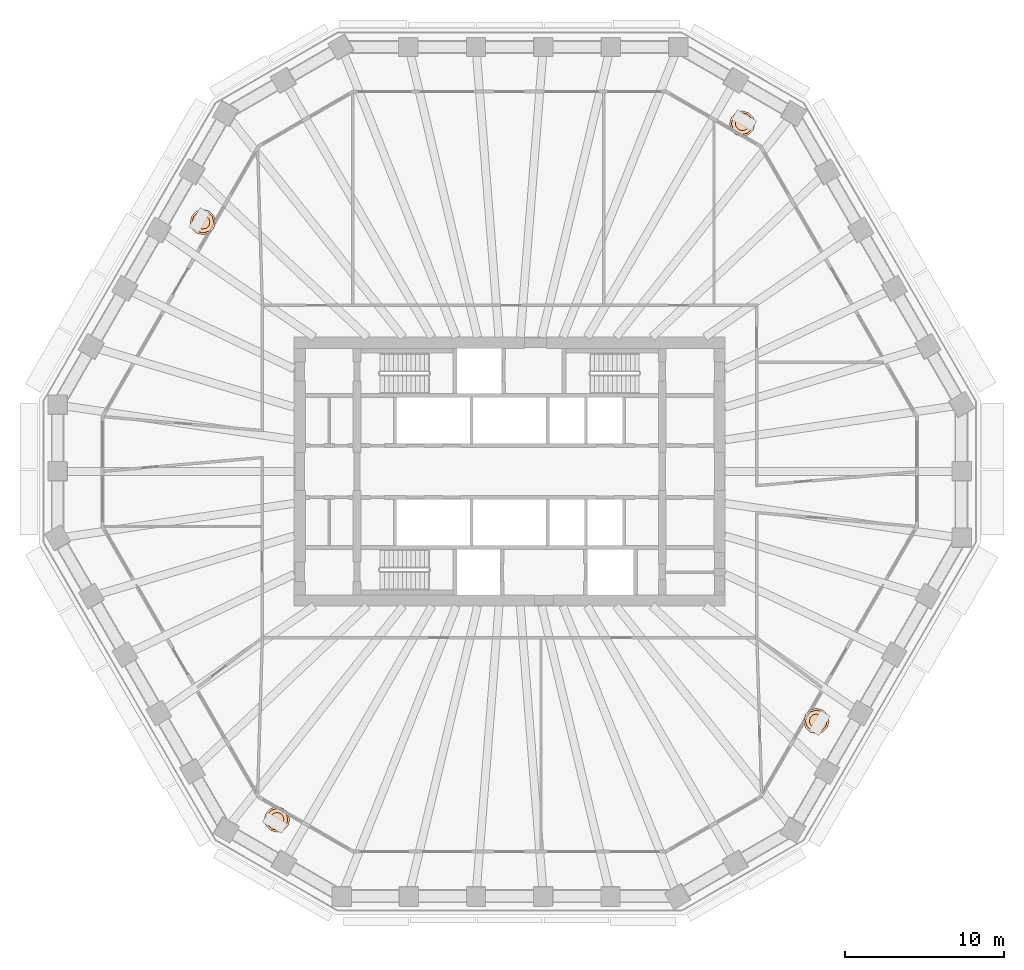
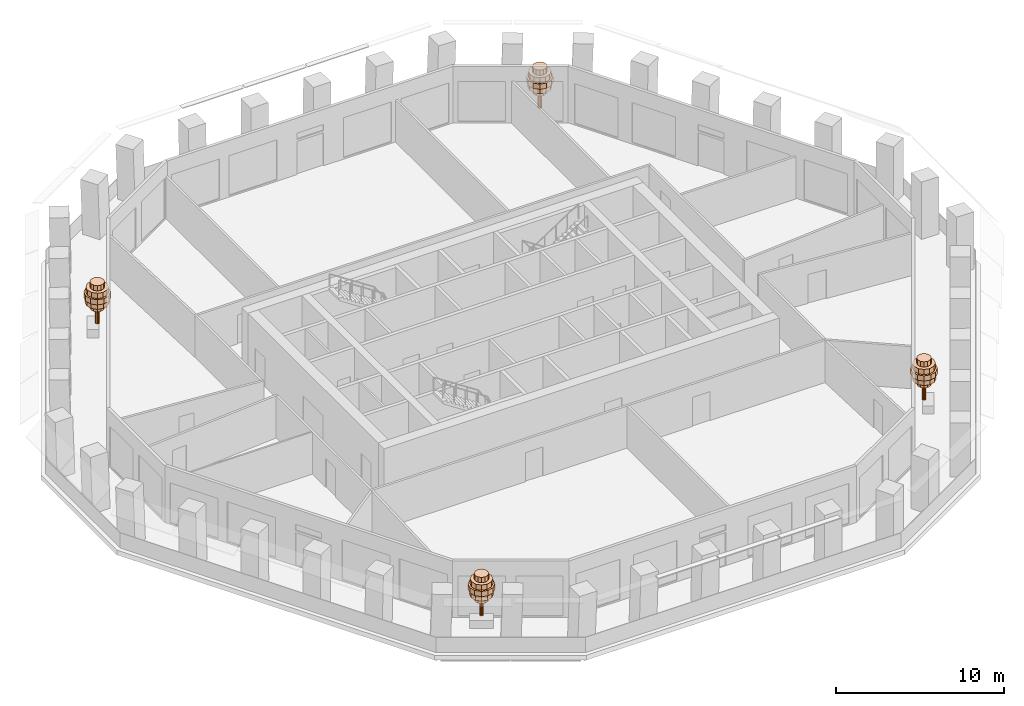
# One storey, part 12 of 12: 4 geographic elements.
"""IFC4 building model written with IfcOpenShell, lengths in metres."""

from ifc_helpers import new_model, si_unit, direction, frame, origin, place, context, subcontext, project, spatial, polyline, outline, extrude, material, type_object, element, save


model = new_model("IFC4")

# Units and contexts
model_context = context("Model", 3, precision=1e-05, world=origin(), true_north=direction((0.0, 1.0)))
body_context = subcontext(model_context, "Body", "Model", "MODEL_VIEW")
ifc_project = project(units=[si_unit("LENGTHUNIT", "METRE"), si_unit("AREAUNIT", "SQUARE_METRE"), si_unit("VOLUMEUNIT", "CUBIC_METRE"), si_unit("PLANEANGLEUNIT", "RADIAN"), si_unit("MASSUNIT", "GRAM", prefix="KILO")], contexts=[model_context])

# Site, building, storey
site_placement = place(None, origin())
site = spatial("IfcSite", under=ifc_project, at=site_placement, CompositionType="ELEMENT")
building_placement = place(site_placement, origin())
building = spatial("IfcBuilding", under=site, at=building_placement, Name="Frailejon Research Tower", CompositionType="ELEMENT")
storey_placement = place(building_placement, frame((0.0, 0.0, 145.199951171875)))
storey = spatial("IfcBuildingStorey", under=building, at=storey_placement, Name="L31", CompositionType="ELEMENT", Elevation=145.199951171875)

# Geographic elements
ifc_material = material(Name="Foliage, green")
geographic_element_type = type_object("IfcGeographicElementType", Name="Frailejon tree, loggia", PredefinedType="USERDEFINED", material=ifc_material)
geographic_element_1_placement = place(storey_placement, frame((14.63134765625, 21.878173828125, 0.60009765625)))
element("IfcGeographicElement", 1, at=geographic_element_1_placement, inside=storey, type_object=geographic_element_type, Name="Tree L31", ObjectType="TREE", PredefinedType="USERDEFINED", context=body_context, shape_type="SweptSolid", body=[
    extrude(outline(polyline([(0.1298828125, 0.0), (0.112548828125, 0.06494140625), (0.06494140625, 0.112548828125), (0.0, 0.1298828125), (-0.06494140625, 0.112548828125), (-0.112548828125, 0.06494140625), (-0.1298828125, 0.0), (-0.112548828125, -0.06494140625), (-0.06494140625, -0.112548828125), (0.0, -0.1298828125), (0.06494140625, -0.112548828125), (0.112548828125, -0.06494140625), (0.1298828125, 0.0)])), origin(), (0.0, 0.0, 1.0), 2.239990234375),
    extrude(outline(polyline([(0.43994140625, 0.0), (0.381103515625, 0.219970703125), (0.219970703125, 0.381103515625), (0.0, 0.43994140625), (-0.219970703125, 0.381103515625), (-0.381103515625, 0.219970703125), (-0.43994140625, 0.0), (-0.381103515625, -0.219970703125), (-0.219970703125, -0.381103515625), (0.0, -0.43994140625), (0.219970703125, -0.381103515625), (0.381103515625, -0.219970703125), (0.43994140625, 0.0)])), frame((0.0, 0.0, 1.10009765625)), (0.0, 0.0, 1.0), 0.3798828125),
    extrude(outline(polyline([(0.719970703125, 0.0), (0.62353515625, 0.360107421875), (0.360107421875, 0.62353515625), (0.0, 0.719970703125), (-0.360107421875, 0.62353515625), (-0.62353515625, 0.360107421875), (-0.719970703125, 0.0), (-0.62353515625, -0.360107421875), (-0.360107421875, -0.62353515625), (0.0, -0.719970703125), (0.360107421875, -0.62353515625), (0.62353515625, -0.360107421875), (0.719970703125, 0.0)])), frame((0.0, 0.0, 1.47998046875)), (0.0, 0.0, 1.0), 0.3798828125),
    extrude(outline(polyline([(0.800048828125, 0.0), (0.69287109375, 0.39990234375), (0.39990234375, 0.69287109375), (0.0, 0.800048828125), (-0.39990234375, 0.69287109375), (-0.69287109375, 0.39990234375), (-0.800048828125, 0.0), (-0.69287109375, -0.39990234375), (-0.39990234375, -0.69287109375), (0.0, -0.800048828125), (0.39990234375, -0.69287109375), (0.69287109375, -0.39990234375), (0.800048828125, 0.0)])), frame((0.0, 0.0, 1.860107421875)), (0.0, 0.0, 1.0), 0.3798828125),
    extrude(outline(polyline([(0.679931640625, 0.0), (0.5888671875, 0.340087890625), (0.340087890625, 0.5888671875), (0.0, 0.679931640625), (-0.340087890625, 0.5888671875), (-0.5888671875, 0.340087890625), (-0.679931640625, 0.0), (-0.5888671875, -0.340087890625), (-0.340087890625, -0.5888671875), (0.0, -0.679931640625), (0.340087890625, -0.5888671875), (0.5888671875, -0.340087890625), (0.679931640625, 0.0)])), frame((0.0, 0.0, 2.239990234375)), (0.0, 0.0, 1.0), 0.3798828125),
    extrude(outline(polyline([(0.43994140625, 0.0), (0.381103515625, 0.219970703125), (0.219970703125, 0.381103515625), (0.0, 0.43994140625), (-0.219970703125, 0.381103515625), (-0.381103515625, 0.219970703125), (-0.43994140625, 0.0), (-0.381103515625, -0.219970703125), (-0.219970703125, -0.381103515625), (0.0, -0.43994140625), (0.219970703125, -0.381103515625), (0.381103515625, -0.219970703125), (0.43994140625, 0.0)])), frame((0.0, 0.0, 2.6201171875)), (0.0, 0.0, 1.0), 0.3798828125),
])
geographic_element_2_placement = place(storey_placement, frame((-19.28955078125, 15.689453125, 0.60009765625)))
element("IfcGeographicElement", 2, at=geographic_element_2_placement, inside=storey, type_object=geographic_element_type, Name="Tree L31", ObjectType="TREE", PredefinedType="USERDEFINED", context=body_context, shape_type="SweptSolid", body=[
    extrude(outline(polyline([(0.1298828125, 0.0), (0.112548828125, 0.06494140625), (0.06494140625, 0.112548828125), (0.0, 0.1298828125), (-0.06494140625, 0.112548828125), (-0.112548828125, 0.06494140625), (-0.1298828125, 0.0), (-0.112548828125, -0.06494140625), (-0.06494140625, -0.112548828125), (0.0, -0.1298828125), (0.06494140625, -0.112548828125), (0.112548828125, -0.06494140625), (0.1298828125, 0.0)])), origin(), (0.0, 0.0, 1.0), 2.239990234375),
    extrude(outline(polyline([(0.43994140625, 0.0), (0.381103515625, 0.219970703125), (0.219970703125, 0.381103515625), (0.0, 0.43994140625), (-0.219970703125, 0.381103515625), (-0.381103515625, 0.219970703125), (-0.43994140625, 0.0), (-0.381103515625, -0.219970703125), (-0.219970703125, -0.381103515625), (0.0, -0.43994140625), (0.219970703125, -0.381103515625), (0.381103515625, -0.219970703125), (0.43994140625, 0.0)])), frame((0.0, 0.0, 1.10009765625)), (0.0, 0.0, 1.0), 0.3798828125),
    extrude(outline(polyline([(0.719970703125, 0.0), (0.62353515625, 0.360107421875), (0.360107421875, 0.62353515625), (0.0, 0.719970703125), (-0.360107421875, 0.62353515625), (-0.62353515625, 0.360107421875), (-0.719970703125, 0.0), (-0.62353515625, -0.360107421875), (-0.360107421875, -0.62353515625), (0.0, -0.719970703125), (0.360107421875, -0.62353515625), (0.62353515625, -0.360107421875), (0.719970703125, 0.0)])), frame((0.0, 0.0, 1.47998046875)), (0.0, 0.0, 1.0), 0.3798828125),
    extrude(outline(polyline([(0.800048828125, 0.0), (0.69287109375, 0.39990234375), (0.39990234375, 0.69287109375), (0.0, 0.800048828125), (-0.39990234375, 0.69287109375), (-0.69287109375, 0.39990234375), (-0.800048828125, 0.0), (-0.69287109375, -0.39990234375), (-0.39990234375, -0.69287109375), (0.0, -0.800048828125), (0.39990234375, -0.69287109375), (0.69287109375, -0.39990234375), (0.800048828125, 0.0)])), frame((0.0, 0.0, 1.860107421875)), (0.0, 0.0, 1.0), 0.3798828125),
    extrude(outline(polyline([(0.679931640625, 0.0), (0.5888671875, 0.340087890625), (0.340087890625, 0.5888671875), (0.0, 0.679931640625), (-0.340087890625, 0.5888671875), (-0.5888671875, 0.340087890625), (-0.679931640625, 0.0), (-0.5888671875, -0.340087890625), (-0.340087890625, -0.5888671875), (0.0, -0.679931640625), (0.340087890625, -0.5888671875), (0.5888671875, -0.340087890625), (0.679931640625, 0.0)])), frame((0.0, 0.0, 2.239990234375)), (0.0, 0.0, 1.0), 0.3798828125),
    extrude(outline(polyline([(0.43994140625, 0.0), (0.381103515625, 0.219970703125), (0.219970703125, 0.381103515625), (0.0, 0.43994140625), (-0.219970703125, 0.381103515625), (-0.381103515625, 0.219970703125), (-0.43994140625, 0.0), (-0.381103515625, -0.219970703125), (-0.219970703125, -0.381103515625), (0.0, -0.43994140625), (0.219970703125, -0.381103515625), (0.381103515625, -0.219970703125), (0.43994140625, 0.0)])), frame((0.0, 0.0, 2.6201171875)), (0.0, 0.0, 1.0), 0.3798828125),
])
geographic_element_3_placement = place(storey_placement, frame((-14.63134765625, -21.878173828125, 0.60009765625)))
element("IfcGeographicElement", 3, at=geographic_element_3_placement, inside=storey, type_object=geographic_element_type, Name="Tree L31", ObjectType="TREE", PredefinedType="USERDEFINED", context=body_context, shape_type="SweptSolid", body=[
    extrude(outline(polyline([(0.1298828125, 0.0), (0.112548828125, 0.06494140625), (0.06494140625, 0.112548828125), (0.0, 0.1298828125), (-0.06494140625, 0.112548828125), (-0.112548828125, 0.06494140625), (-0.1298828125, 0.0), (-0.112548828125, -0.06494140625), (-0.06494140625, -0.112548828125), (0.0, -0.1298828125), (0.06494140625, -0.112548828125), (0.112548828125, -0.06494140625), (0.1298828125, 0.0)])), origin(), (0.0, 0.0, 1.0), 2.239990234375),
    extrude(outline(polyline([(0.43994140625, 0.0), (0.381103515625, 0.219970703125), (0.219970703125, 0.381103515625), (0.0, 0.43994140625), (-0.219970703125, 0.381103515625), (-0.381103515625, 0.219970703125), (-0.43994140625, 0.0), (-0.381103515625, -0.219970703125), (-0.219970703125, -0.381103515625), (0.0, -0.43994140625), (0.219970703125, -0.381103515625), (0.381103515625, -0.219970703125), (0.43994140625, 0.0)])), frame((0.0, 0.0, 1.10009765625)), (0.0, 0.0, 1.0), 0.3798828125),
    extrude(outline(polyline([(0.719970703125, 0.0), (0.62353515625, 0.360107421875), (0.360107421875, 0.62353515625), (0.0, 0.719970703125), (-0.360107421875, 0.62353515625), (-0.62353515625, 0.360107421875), (-0.719970703125, 0.0), (-0.62353515625, -0.360107421875), (-0.360107421875, -0.62353515625), (0.0, -0.719970703125), (0.360107421875, -0.62353515625), (0.62353515625, -0.360107421875), (0.719970703125, 0.0)])), frame((0.0, 0.0, 1.47998046875)), (0.0, 0.0, 1.0), 0.3798828125),
    extrude(outline(polyline([(0.800048828125, 0.0), (0.69287109375, 0.39990234375), (0.39990234375, 0.69287109375), (0.0, 0.800048828125), (-0.39990234375, 0.69287109375), (-0.69287109375, 0.39990234375), (-0.800048828125, 0.0), (-0.69287109375, -0.39990234375), (-0.39990234375, -0.69287109375), (0.0, -0.800048828125), (0.39990234375, -0.69287109375), (0.69287109375, -0.39990234375), (0.800048828125, 0.0)])), frame((0.0, 0.0, 1.860107421875)), (0.0, 0.0, 1.0), 0.3798828125),
    extrude(outline(polyline([(0.679931640625, 0.0), (0.5888671875, 0.340087890625), (0.340087890625, 0.5888671875), (0.0, 0.679931640625), (-0.340087890625, 0.5888671875), (-0.5888671875, 0.340087890625), (-0.679931640625, 0.0), (-0.5888671875, -0.340087890625), (-0.340087890625, -0.5888671875), (0.0, -0.679931640625), (0.340087890625, -0.5888671875), (0.5888671875, -0.340087890625), (0.679931640625, 0.0)])), frame((0.0, 0.0, 2.239990234375)), (0.0, 0.0, 1.0), 0.3798828125),
    extrude(outline(polyline([(0.43994140625, 0.0), (0.381103515625, 0.219970703125), (0.219970703125, 0.381103515625), (0.0, 0.43994140625), (-0.219970703125, 0.381103515625), (-0.381103515625, 0.219970703125), (-0.43994140625, 0.0), (-0.381103515625, -0.219970703125), (-0.219970703125, -0.381103515625), (0.0, -0.43994140625), (0.219970703125, -0.381103515625), (0.381103515625, -0.219970703125), (0.43994140625, 0.0)])), frame((0.0, 0.0, 2.6201171875)), (0.0, 0.0, 1.0), 0.3798828125),
])
geographic_element_4_placement = place(storey_placement, frame((19.28955078125, -15.689453125, 0.60009765625)))
element("IfcGeographicElement", 4, at=geographic_element_4_placement, inside=storey, type_object=geographic_element_type, Name="Tree L31", ObjectType="TREE", PredefinedType="USERDEFINED", context=body_context, shape_type="SweptSolid", body=[
    extrude(outline(polyline([(0.1298828125, 0.0), (0.112548828125, 0.06494140625), (0.06494140625, 0.112548828125), (0.0, 0.1298828125), (-0.06494140625, 0.112548828125), (-0.112548828125, 0.06494140625), (-0.1298828125, 0.0), (-0.112548828125, -0.06494140625), (-0.06494140625, -0.112548828125), (0.0, -0.1298828125), (0.06494140625, -0.112548828125), (0.112548828125, -0.06494140625), (0.1298828125, 0.0)])), origin(), (0.0, 0.0, 1.0), 2.239990234375),
    extrude(outline(polyline([(0.43994140625, 0.0), (0.381103515625, 0.219970703125), (0.219970703125, 0.381103515625), (0.0, 0.43994140625), (-0.219970703125, 0.381103515625), (-0.381103515625, 0.219970703125), (-0.43994140625, 0.0), (-0.381103515625, -0.219970703125), (-0.219970703125, -0.381103515625), (0.0, -0.43994140625), (0.219970703125, -0.381103515625), (0.381103515625, -0.219970703125), (0.43994140625, 0.0)])), frame((0.0, 0.0, 1.10009765625)), (0.0, 0.0, 1.0), 0.3798828125),
    extrude(outline(polyline([(0.719970703125, 0.0), (0.62353515625, 0.360107421875), (0.360107421875, 0.62353515625), (0.0, 0.719970703125), (-0.360107421875, 0.62353515625), (-0.62353515625, 0.360107421875), (-0.719970703125, 0.0), (-0.62353515625, -0.360107421875), (-0.360107421875, -0.62353515625), (0.0, -0.719970703125), (0.360107421875, -0.62353515625), (0.62353515625, -0.360107421875), (0.719970703125, 0.0)])), frame((0.0, 0.0, 1.47998046875)), (0.0, 0.0, 1.0), 0.3798828125),
    extrude(outline(polyline([(0.800048828125, 0.0), (0.69287109375, 0.39990234375), (0.39990234375, 0.69287109375), (0.0, 0.800048828125), (-0.39990234375, 0.69287109375), (-0.69287109375, 0.39990234375), (-0.800048828125, 0.0), (-0.69287109375, -0.39990234375), (-0.39990234375, -0.69287109375), (0.0, -0.800048828125), (0.39990234375, -0.69287109375), (0.69287109375, -0.39990234375), (0.800048828125, 0.0)])), frame((0.0, 0.0, 1.860107421875)), (0.0, 0.0, 1.0), 0.3798828125),
    extrude(outline(polyline([(0.679931640625, 0.0), (0.5888671875, 0.340087890625), (0.340087890625, 0.5888671875), (0.0, 0.679931640625), (-0.340087890625, 0.5888671875), (-0.5888671875, 0.340087890625), (-0.679931640625, 0.0), (-0.5888671875, -0.340087890625), (-0.340087890625, -0.5888671875), (0.0, -0.679931640625), (0.340087890625, -0.5888671875), (0.5888671875, -0.340087890625), (0.679931640625, 0.0)])), frame((0.0, 0.0, 2.239990234375)), (0.0, 0.0, 1.0), 0.3798828125),
    extrude(outline(polyline([(0.43994140625, 0.0), (0.381103515625, 0.219970703125), (0.219970703125, 0.381103515625), (0.0, 0.43994140625), (-0.219970703125, 0.381103515625), (-0.381103515625, 0.219970703125), (-0.43994140625, 0.0), (-0.381103515625, -0.219970703125), (-0.219970703125, -0.381103515625), (0.0, -0.43994140625), (0.219970703125, -0.381103515625), (0.381103515625, -0.219970703125), (0.43994140625, 0.0)])), frame((0.0, 0.0, 2.6201171875)), (0.0, 0.0, 1.0), 0.3798828125),
])

save(model, "model.ifc")
